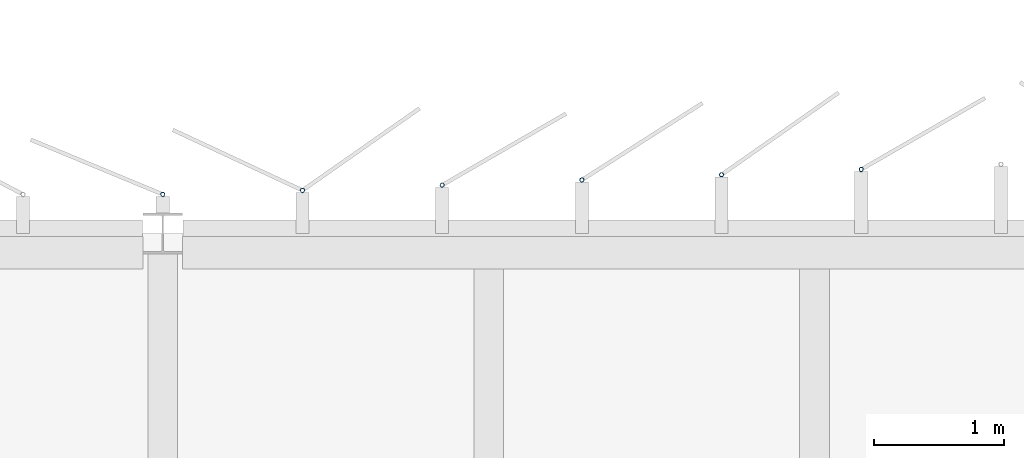
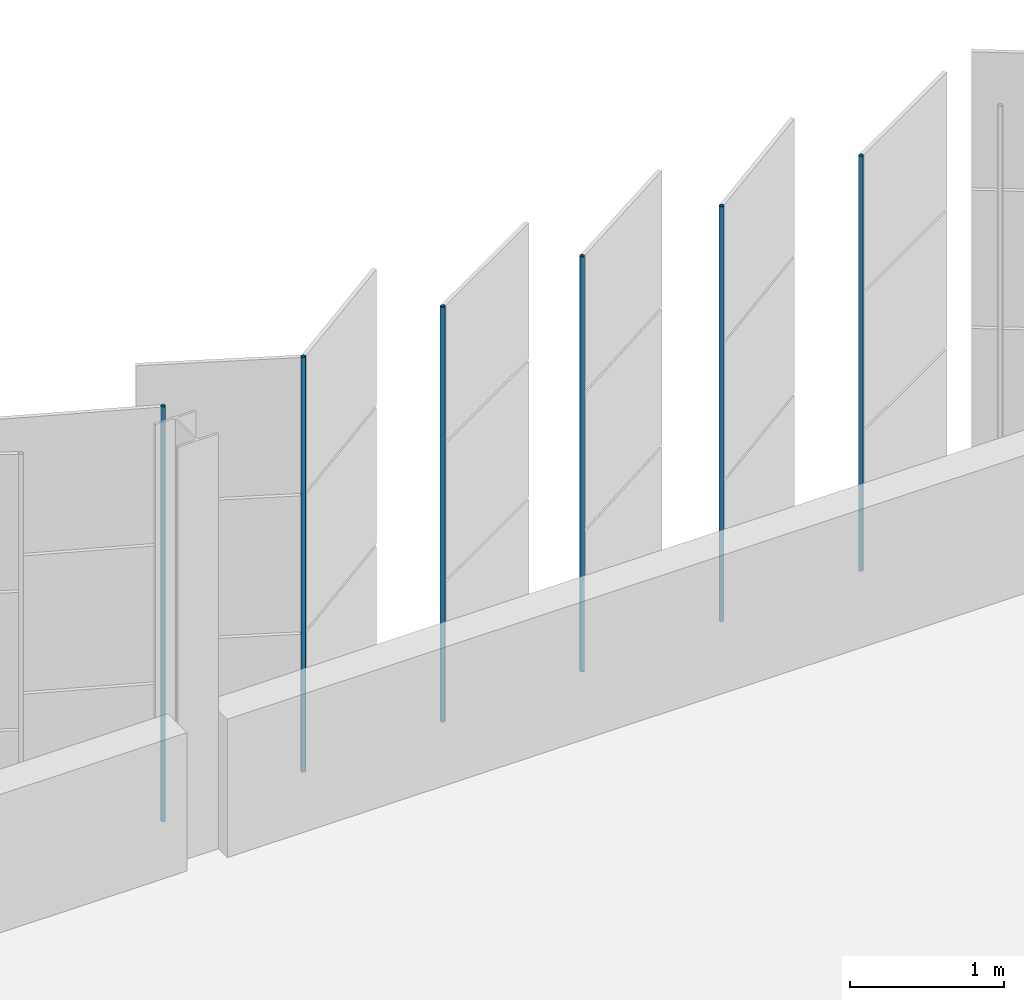
# One storey, part 167 of 214: 6 discrete accessories.
"""IFC4 building model written with IfcOpenShell, lengths in metres."""

from ifc_helpers import new_model, si_unit, direction, frame, origin, origin_2d, place, context, subcontext, project, spatial, hollow_circle, extrude, material, material_profile, profile_set, type_object, element, save


model = new_model("IFC4")

# Units and contexts
model_context = context("Model", 3, precision=1e-05, world=origin(), true_north=direction((0.0, 1.0)))
body_context = subcontext(model_context, "Body", "Model", "MODEL_VIEW")
ifc_project = project(units=[si_unit("LENGTHUNIT", "METRE"), si_unit("AREAUNIT", "SQUARE_METRE"), si_unit("VOLUMEUNIT", "CUBIC_METRE"), si_unit("PLANEANGLEUNIT", "RADIAN"), si_unit("MASSUNIT", "GRAM", prefix="KILO")], contexts=[model_context])

# Site, building, storey
site_placement = place(None, origin())
site = spatial("IfcSite", under=ifc_project, at=site_placement, CompositionType="ELEMENT")
building_placement = place(site_placement, origin())
building = spatial("IfcBuilding", under=site, at=building_placement, Name="Parallax Yard Mobility Hub", CompositionType="ELEMENT")
storey_placement = place(building_placement, frame((0.0, 0.0, 3.300048828125)))
storey = spatial("IfcBuildingStorey", under=building, at=storey_placement, Name="L01", CompositionType="ELEMENT", Elevation=3.300048828125)

# Discrete accessories
ifc_material = material(Name="Steel ASTM A500 Gr C, hot-dip galvanised", Category="steel")
ifc_material_profile = material_profile(ifc_material, hollow_circle(Radius=0.016845703125, WallThickness=0.003173828125, at=origin_2d()), Name="CHS 33.7x3.2")
ifc_profile_set = profile_set([ifc_material_profile], Name="Steel ASTM A500 Gr C, hot-dip galvanised")
discrete_accessory_type = type_object("IfcDiscreteAccessoryType", Name="Hinge post CHS 33.7x3.2", PredefinedType="BRACKET", material=ifc_profile_set)
for number, where, z_axis, x_axis, name in (
    (1, (162.85791015625, 142.9912109375, 0.0), (0.0, 0.0, 1.0), (1.0, 0.0, 0.0), "Hinge post bay 52.3 level L01"),
    (2, (161.786376953125, 142.950927734375, 0.0), (0.0, 0.0, 1.0), (1.0, 0.0, 0.0), "Hinge post bay 52.4 level L01"),
    (3, (160.71484375, 142.910888671875, 0.0), (0.0, 0.0, 1.0), (1.0, 0.0, 0.0), "Hinge post bay 52.5 level L01"),
    (4, (159.643310546875, 142.870849609375, 0.0), (0.0, 0.0, 1.0), (1.0, 0.0, 0.0), "Hinge post bay 52.6 level L01"),
    (5, (158.571533203125, 142.830810546875, 0.0), (0.0, 0.0, 1.0), (1.0, 0.0, 0.0), "Hinge post bay 52.7 level L01"),
    (6, (157.5, 142.800048828125, 0.0), (0.0, 0.0, 1.0), (1.0, 0.0, 0.0), "Hinge post bay 53.1 level L01"),
):
    element("IfcDiscreteAccessory", number, at=place(storey_placement, frame(where, z_axis=z_axis, x_axis=x_axis)), inside=storey, type_object=discrete_accessory_type, Name=name, PredefinedType="BRACKET", context=body_context, shape_type="SweptSolid", body=[
        extrude(hollow_circle(Radius=0.016845703125, WallThickness=0.003173828125, at=origin_2d()), origin(), (0.0, 0.0, 1.0), 3.300048828125),
    ])

save(model, "model.ifc")
